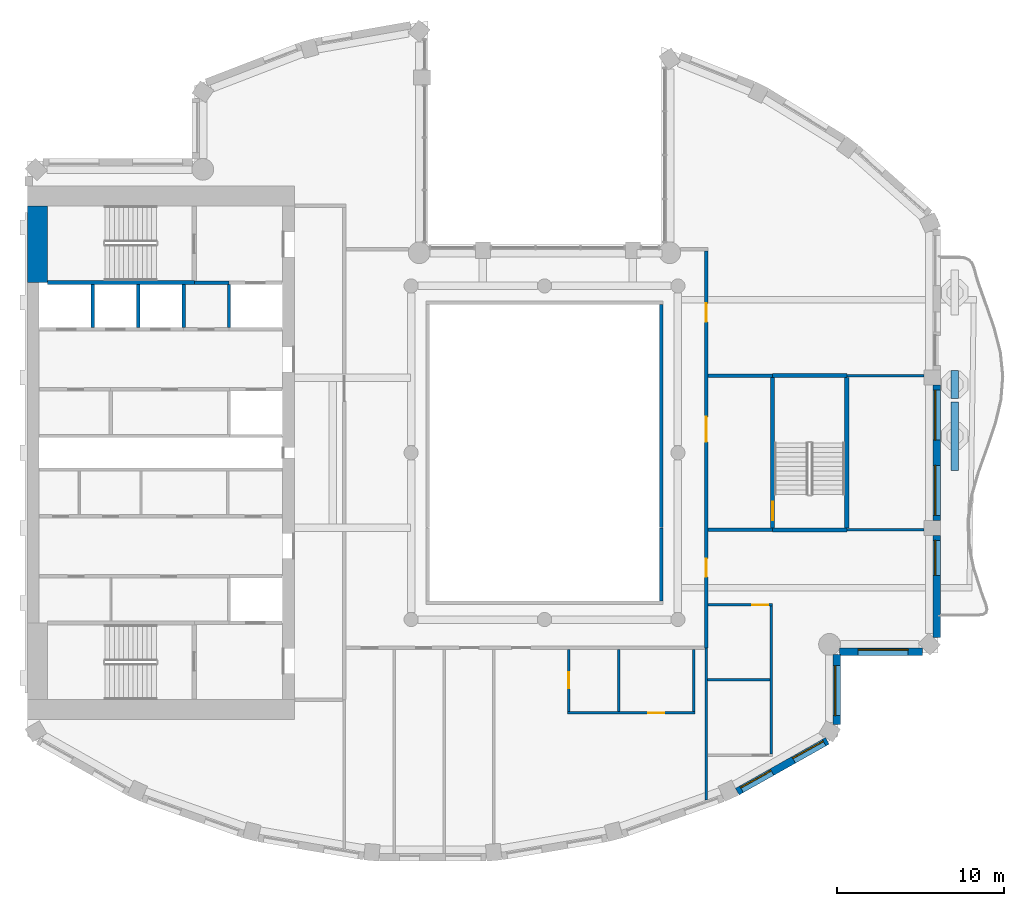
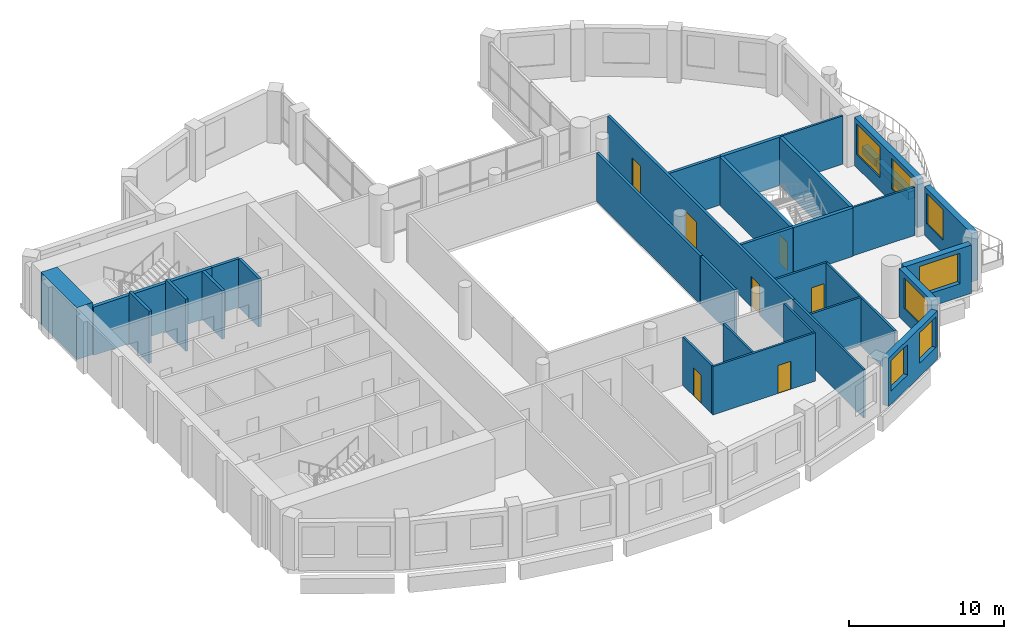
# One storey, part 6 of 14: 33 walls, 7 doors, 7 windows, 14 openings.
"""IFC4 building model written with IfcOpenShell, lengths in metres."""

from ifc_helpers import new_model, si_unit, direction, frame, frame_2d, origin, place, context, subcontext, project, spatial, rectangle, extrude, material, layer, layer_set, type_object, element, fill, save


model = new_model("IFC4")

# Units and contexts
model_context = context("Model", 3, precision=1e-05, world=origin(), true_north=direction((0.0, 1.0)))
body_context = subcontext(model_context, "Body", "Model", "MODEL_VIEW")
ifc_project = project(units=[si_unit("LENGTHUNIT", "METRE"), si_unit("AREAUNIT", "SQUARE_METRE"), si_unit("VOLUMEUNIT", "CUBIC_METRE"), si_unit("PLANEANGLEUNIT", "RADIAN"), si_unit("MASSUNIT", "GRAM", prefix="KILO")], contexts=[model_context])

# Site, building, storey
site_placement = place(None, origin())
site = spatial("IfcSite", under=ifc_project, at=site_placement, CompositionType="ELEMENT")
building_placement = place(site_placement, origin())
building = spatial("IfcBuilding", under=site, at=building_placement, Name="Cypress Arch Tower", CompositionType="ELEMENT")
storey_placement = place(building_placement, frame((0.0, 0.0, 276.199951171875)))
storey = spatial("IfcBuildingStorey", under=building, at=storey_placement, Name="L62", CompositionType="ELEMENT", Elevation=276.199951171875)

# Walls
ifc_material_1 = material(Name="Concrete C40/50, waterproofed", Category="concrete")
ifc_layer_1 = layer(ifc_material_1, 0.449951171875)
ifc_layer_set_1 = layer_set([ifc_layer_1], Name="Balcony planter wall PW450")
wall_type_1 = type_object("IfcWallType", Name="Balcony planter wall PW450", PredefinedType="SOLIDWALL", material=ifc_layer_set_1)
wall_1_placement = place(storey_placement, frame((25.60009765625, -1.050048828125, 0.0), z_axis=(0.0, 0.0, 1.0), x_axis=(0.0, 1.0, 0.0)))
element("IfcWall", 1, at=wall_1_placement, inside=storey, type_object=wall_type_1, Name="Balcony planter wall L62-C17.1", PredefinedType="SOLIDWALL", context=body_context, shape_type="SweptSolid", body=[
    extrude(rectangle(XDim=4.10009765625, YDim=0.449951171875, at=frame_2d((2.050048828125, 0.0))), origin(), (0.0, 0.0, 1.0), 0.60009765625),
])
wall_2_placement = place(storey_placement, frame((25.60009765625, 3.25, 0.0), z_axis=(0.0, 0.0, 1.0), x_axis=(0.0, 1.0, 0.0)))
element("IfcWall", 2, at=wall_2_placement, inside=storey, type_object=wall_type_1, Name="Balcony planter wall L62-C17.2", PredefinedType="SOLIDWALL", context=body_context, shape_type="SweptSolid", body=[
    extrude(rectangle(XDim=1.69140625, YDim=0.449951171875, at=frame_2d((0.845703125, 0.0))), origin(), (0.0, 0.0, 1.0), 0.60009765625),
])

# Wall, openings, windows
ifc_material_2 = material(Name="Brick (red buff blend)", Category="masonry")
ifc_layer_2 = layer(ifc_material_2, 0.449951171875)
ifc_layer_set_2 = layer_set([ifc_layer_2], Name="Brick pier and spandrel wall BW450")
wall_type_2 = type_object("IfcWallType", Name="Brick pier and spandrel wall BW450", PredefinedType="SOLIDWALL", material=ifc_layer_set_2)
wall_3_placement = place(storey_placement, frame((12.55908203125, -20.320068359375, 0.0), z_axis=(0.0, 0.0, 1.0), x_axis=(0.871065783524, 0.491166367714, 0.0)))
wall_3 = element("IfcWall", 3, at=wall_3_placement, inside=storey, type_object=wall_type_2, Name="Brick wall L62 C14.0", PredefinedType="SOLIDWALL", context=body_context, shape_type="SweptSolid", body=[
    extrude(rectangle(XDim=6.1962890625, YDim=0.449951171875, at=frame_2d((3.09814453125, 0.0))), origin(), (0.0, 0.0, 1.0), 3.800048828125),
])
opening_1_placement = place(wall_3_placement, frame((0.29052734375, 0.0, 1.050048828125)))
opening_1 = element("IfcOpeningElement", 4, at=opening_1_placement, cuts=wall_3, Name="Opening W210O", PredefinedType="OPENING", context=body_context, shape_type="SweptSolid", body=[
    extrude(rectangle(XDim=2.10009765625, YDim=2.39990234375, at=frame_2d((1.050048828125, 1.199951171875))), frame((0.0, 0.23486328125, 0.0), z_axis=(0.0, -1.0, 0.0), x_axis=(1.0, 0.0, 0.0)), (0.0, 0.0, 1.0), 0.469970703125),
])
opening_2_placement = place(wall_3_placement, frame((3.875244140625, 0.0, 1.050048828125)))
opening_2 = element("IfcOpeningElement", 5, at=opening_2_placement, cuts=wall_3, Name="Opening W210O", PredefinedType="OPENING", context=body_context, shape_type="SweptSolid", body=[
    extrude(rectangle(XDim=2.10009765625, YDim=2.39990234375, at=frame_2d((1.050048828125, 1.199951171875))), frame((0.0, 0.23486328125, 0.0), z_axis=(0.0, -1.0, 0.0), x_axis=(1.0, 0.0, 0.0)), (0.0, 0.0, 1.0), 0.469970703125),
])
ifc_material_3 = material(Name="Anodised aluminium, bronze finish, clear low-emissivity double glazing", Category="aluminium")
window_type_1 = type_object("IfcWindowType", Name="Window Office 2100x2400", PartitioningType="SINGLE_PANEL", PredefinedType="WINDOW", material=ifc_material_3)
window_1_placement = place(opening_1_placement, origin())
window_1 = element("IfcWindow", 6, at=window_1_placement, inside=storey, type_object=window_type_1, Name="Window L62 C14.0.1", OverallHeight=2.39990234375, OverallWidth=2.10009765625, PartitioningType="SINGLE_PANEL", PredefinedType="WINDOW", context=body_context, shape_type="SweptSolid", body=[
    extrude(rectangle(XDim=2.10009765625, YDim=2.39990234375, at=frame_2d((1.050048828125, 1.199951171875))), frame((0.0, 0.135009765625, 0.0), z_axis=(0.0, -1.0, 0.0), x_axis=(1.0, 0.0, 0.0)), (0.0, 0.0, 1.0), 0.06005859375),
])
fill(opening_1, window_1)
window_2_placement = place(opening_2_placement, origin())
window_2 = element("IfcWindow", 7, at=window_2_placement, inside=storey, type_object=window_type_1, Name="Window L62 C14.0.2", OverallHeight=2.39990234375, OverallWidth=2.10009765625, PartitioningType="SINGLE_PANEL", PredefinedType="WINDOW", context=body_context, shape_type="SweptSolid", body=[
    extrude(rectangle(XDim=2.10009765625, YDim=2.39990234375, at=frame_2d((1.050048828125, 1.199951171875))), frame((0.0, 0.135009765625, 0.0), z_axis=(0.0, -1.0, 0.0), x_axis=(1.0, 0.0, 0.0)), (0.0, 0.0, 1.0), 0.06005859375),
])
fill(opening_2, window_2)

# Wall, opening, window
wall_4_placement = place(storey_placement, frame((18.52490234375, -16.3037109375, 0.0), z_axis=(0.0, 0.0, 1.0), x_axis=(0.0, 1.0, 0.0)))
wall_4 = element("IfcWall", 8, at=wall_4_placement, inside=storey, type_object=wall_type_2, Name="Brick wall L62 C15.0", PredefinedType="SOLIDWALL", context=body_context, shape_type="SweptSolid", body=[
    extrude(rectangle(XDim=4.2021484375, YDim=0.449951171875, at=frame_2d((2.10107421875, 0.0))), origin(), (0.0, 0.0, 1.0), 3.800048828125),
])
opening_3_placement = place(wall_4_placement, frame((0.541259765625, 0.0, 1.050048828125)))
opening_3 = element("IfcOpeningElement", 9, at=opening_3_placement, cuts=wall_4, Name="Opening W300O", PredefinedType="OPENING", context=body_context, shape_type="SweptSolid", body=[
    extrude(rectangle(XDim=3.0, YDim=2.39990234375, at=frame_2d((1.5, 1.199951171875))), frame((0.0, 0.23486328125, 0.0), z_axis=(0.0, -1.0, 0.0), x_axis=(1.0, 0.0, 0.0)), (0.0, 0.0, 1.0), 0.469970703125),
])
ifc_material_4 = material(Name="Anodised aluminium, bronze finish, clear low-emissivity double glazing", Category="aluminium")
window_type_2 = type_object("IfcWindowType", Name="Window Office 3000x2400", PartitioningType="SINGLE_PANEL", PredefinedType="WINDOW", material=ifc_material_4)
window_3_placement = place(opening_3_placement, origin())
window_3 = element("IfcWindow", 10, at=window_3_placement, inside=storey, type_object=window_type_2, Name="Window L62 C15.0.1", OverallHeight=2.39990234375, OverallWidth=3.0, PartitioningType="SINGLE_PANEL", PredefinedType="WINDOW", context=body_context, shape_type="SweptSolid", body=[
    extrude(rectangle(XDim=3.0, YDim=2.39990234375, at=frame_2d((1.5, 1.199951171875))), frame((0.0, 0.135009765625, 0.0), z_axis=(0.0, -1.0, 0.0), x_axis=(1.0, 0.0, 0.0)), (0.0, 0.0, 1.0), 0.06005859375),
])
fill(opening_3, window_3)

wall_5_placement = place(storey_placement, frame((18.701416015625, -11.925048828125, 0.0), z_axis=(0.0, 0.0, 1.0), x_axis=(1.0, 0.0, 0.0)))
wall_5 = element("IfcWall", 11, at=wall_5_placement, inside=storey, type_object=wall_type_2, Name="Brick wall L62 C16.0", PredefinedType="SOLIDWALL", context=body_context, shape_type="SweptSolid", body=[
    extrude(rectangle(XDim=4.962158203125, YDim=0.449951171875, at=frame_2d((2.48095703125, 0.0))), origin(), (0.0, 0.0, 1.0), 3.800048828125),
])
opening_4_placement = place(wall_5_placement, frame((1.098388671875, 0.0, 1.050048828125)))
opening_4 = element("IfcOpeningElement", 12, at=opening_4_placement, cuts=wall_5, Name="Opening W300O", PredefinedType="OPENING", context=body_context, shape_type="SweptSolid", body=[
    extrude(rectangle(XDim=3.0, YDim=2.39990234375, at=frame_2d((1.5, 1.199951171875))), frame((0.0, 0.23486328125, 0.0), z_axis=(0.0, -1.0, 0.0), x_axis=(1.0, 0.0, 0.0)), (0.0, 0.0, 1.0), 0.469970703125),
])
window_4_placement = place(opening_4_placement, origin())
window_4 = element("IfcWindow", 13, at=window_4_placement, inside=storey, type_object=window_type_2, Name="Window L62 C16.0.1", OverallHeight=2.39990234375, OverallWidth=3.0, PartitioningType="SINGLE_PANEL", PredefinedType="WINDOW", context=body_context, shape_type="SweptSolid", body=[
    extrude(rectangle(XDim=3.0, YDim=2.39990234375, at=frame_2d((1.5, 1.199951171875))), frame((0.0, 0.135009765625, 0.0), z_axis=(0.0, -1.0, 0.0), x_axis=(1.0, 0.0, 0.0)), (0.0, 0.0, 1.0), 0.06005859375),
])
fill(opening_4, window_4)

wall_6_placement = place(storey_placement, frame((24.52490234375, -11.063720703125, 0.0), z_axis=(0.0, 0.0, 1.0), x_axis=(0.0, 1.0, 0.0)))
wall_6 = element("IfcWall", 14, at=wall_6_placement, inside=storey, type_object=wall_type_2, Name="Brick wall L62 C17.0", PredefinedType="SOLIDWALL", context=body_context, shape_type="SweptSolid", body=[
    extrude(rectangle(XDim=6.11376953125, YDim=0.449951171875, at=frame_2d((3.056884765625, 0.0))), origin(), (0.0, 0.0, 1.0), 3.800048828125),
])
opening_5_placement = place(wall_6_placement, frame((3.713623046875, 0.0, 1.050048828125)))
opening_5 = element("IfcOpeningElement", 15, at=opening_5_placement, cuts=wall_6, Name="Opening W210OD", PredefinedType="OPENING", context=body_context, shape_type="SweptSolid", body=[
    extrude(rectangle(XDim=2.10009765625, YDim=2.39990234375, at=frame_2d((1.050048828125, 1.199951171875))), frame((0.0, 0.23486328125, 0.0), z_axis=(0.0, -1.0, 0.0), x_axis=(1.0, 0.0, 0.0)), (0.0, 0.0, 1.0), 0.469970703125),
])
ifc_material_5 = material(Name="Anodised aluminium, bronze finish, laminated low-emissivity double glazing, large-missile impact rated", Category="aluminium")
window_type_3 = type_object("IfcWindowType", Name="Window Office 2100x2400 debris-rated", PartitioningType="SINGLE_PANEL", PredefinedType="WINDOW", material=ifc_material_5)
window_5_placement = place(opening_5_placement, origin())
window_5 = element("IfcWindow", 16, at=window_5_placement, inside=storey, type_object=window_type_3, Name="Window L62 C17.0.2", OverallHeight=2.39990234375, OverallWidth=2.10009765625, PartitioningType="SINGLE_PANEL", PredefinedType="WINDOW", context=body_context, shape_type="SweptSolid", body=[
    extrude(rectangle(XDim=2.10009765625, YDim=2.39990234375, at=frame_2d((1.050048828125, 1.199951171875))), frame((0.0, 0.135009765625, 0.0), z_axis=(0.0, -1.0, 0.0), x_axis=(1.0, 0.0, 0.0)), (0.0, 0.0, 1.0), 0.06005859375),
])
fill(opening_5, window_5)

# Wall, openings, windows
wall_7_placement = place(storey_placement, frame((24.52490234375, -4.050048828125, 0.0), z_axis=(0.0, 0.0, 1.0), x_axis=(0.0, 1.0, 0.0)))
wall_7 = element("IfcWall", 17, at=wall_7_placement, inside=storey, type_object=wall_type_2, Name="Brick wall L62 C17.1", PredefinedType="SOLIDWALL", context=body_context, shape_type="SweptSolid", body=[
    extrude(rectangle(XDim=8.10009765625, YDim=0.449951171875, at=frame_2d((4.050048828125, 0.0))), origin(), (0.0, 0.0, 1.0), 3.800048828125),
])
opening_6_placement = place(wall_7_placement, frame((0.300048828125, 0.0, 1.050048828125)))
opening_6 = element("IfcOpeningElement", 18, at=opening_6_placement, cuts=wall_7, Name="Opening W300OD", PredefinedType="OPENING", context=body_context, shape_type="SweptSolid", body=[
    extrude(rectangle(XDim=3.0, YDim=2.39990234375, at=frame_2d((1.5, 1.199951171875))), frame((0.0, 0.23486328125, 0.0), z_axis=(0.0, -1.0, 0.0), x_axis=(1.0, 0.0, 0.0)), (0.0, 0.0, 1.0), 0.469970703125),
])
opening_7_placement = place(wall_7_placement, frame((4.800048828125, 0.0, 1.050048828125)))
opening_7 = element("IfcOpeningElement", 19, at=opening_7_placement, cuts=wall_7, Name="Opening W300OD", PredefinedType="OPENING", context=body_context, shape_type="SweptSolid", body=[
    extrude(rectangle(XDim=3.0, YDim=2.39990234375, at=frame_2d((1.5, 1.199951171875))), frame((0.0, 0.23486328125, 0.0), z_axis=(0.0, -1.0, 0.0), x_axis=(1.0, 0.0, 0.0)), (0.0, 0.0, 1.0), 0.469970703125),
])
ifc_material_6 = material(Name="Anodised aluminium, bronze finish, laminated low-emissivity double glazing, large-missile impact rated", Category="aluminium")
window_type_4 = type_object("IfcWindowType", Name="Window Office 3000x2400 debris-rated", PartitioningType="SINGLE_PANEL", PredefinedType="WINDOW", material=ifc_material_6)
window_6_placement = place(opening_6_placement, origin())
window_6 = element("IfcWindow", 20, at=window_6_placement, inside=storey, type_object=window_type_4, Name="Window L62 C17.1.1", OverallHeight=2.39990234375, OverallWidth=3.0, PartitioningType="SINGLE_PANEL", PredefinedType="WINDOW", context=body_context, shape_type="SweptSolid", body=[
    extrude(rectangle(XDim=3.0, YDim=2.39990234375, at=frame_2d((1.5, 1.199951171875))), frame((0.0, 0.135009765625, 0.0), z_axis=(0.0, -1.0, 0.0), x_axis=(1.0, 0.0, 0.0)), (0.0, 0.0, 1.0), 0.06005859375),
])
fill(opening_6, window_6)
window_7_placement = place(opening_7_placement, origin())
window_7 = element("IfcWindow", 21, at=window_7_placement, inside=storey, type_object=window_type_4, Name="Window L62 C17.1.2", OverallHeight=2.39990234375, OverallWidth=3.0, PartitioningType="SINGLE_PANEL", PredefinedType="WINDOW", context=body_context, shape_type="SweptSolid", body=[
    extrude(rectangle(XDim=3.0, YDim=2.39990234375, at=frame_2d((1.5, 1.199951171875))), frame((0.0, 0.135009765625, 0.0), z_axis=(0.0, -1.0, 0.0), x_axis=(1.0, 0.0, 0.0)), (0.0, 0.0, 1.0), 0.06005859375),
])
fill(opening_7, window_7)

# Walls
ifc_material_7 = material(Name="Concrete C60/75", Category="concrete")
ifc_layer_3 = layer(ifc_material_7, 1.199951171875)
ifc_layer_set_3 = layer_set([ifc_layer_3], Name="Core wall CW1200 C60/75")
wall_type_3 = type_object("IfcWallType", Name="Core wall CW1200 C60/75", PredefinedType="SHEAR", material=ifc_layer_set_3)
wall_8_placement = place(storey_placement, frame((-29.39990234375, 10.199951171875, 0.0), z_axis=(0.0, 0.0, 1.0), x_axis=(0.0, 1.0, 0.0)))
element("IfcWall", 22, at=wall_8_placement, inside=storey, type_object=wall_type_3, Name="Core wall", PredefinedType="SHEAR", context=body_context, shape_type="SweptSolid", body=[
    extrude(rectangle(XDim=4.60009765625, YDim=1.199951171875, at=frame_2d((2.300048828125, 0.0))), origin(), (0.0, 0.0, 1.0), 4.10009765625),
])
ifc_material_8 = material(Name="Concrete blockwork, plastered, rated", Category="masonry")
ifc_layer_4 = layer(ifc_material_8, 0.199951171875)
ifc_layer_set_4 = layer_set([ifc_layer_4], Name="Corridor wall FW200")
wall_type_4 = type_object("IfcWallType", Name="Corridor wall FW200", PredefinedType="PARTITIONING", material=ifc_layer_set_4)
wall_9_placement = place(storey_placement, frame((-20.0, 10.199951171875, 0.0), z_axis=(0.0, 0.0, 1.0), x_axis=(1.0, 0.0, 0.0)))
element("IfcWall", 23, at=wall_9_placement, inside=storey, type_object=wall_type_4, Name="Corridor wall", PredefinedType="PARTITIONING", context=body_context, shape_type="SweptSolid", body=[
    extrude(rectangle(XDim=2.080078125, YDim=0.199951171875, at=frame_2d((1.0400390625, 0.0))), origin(), (0.0, 0.0, 1.0), 3.800048828125),
])
wall_10_placement = place(storey_placement, frame((8.0, -8.89990234375, 0.0), z_axis=(0.0, 0.0, 1.0), x_axis=(0.0, 1.0, 0.0)))
element("IfcWall", 24, at=wall_10_placement, inside=storey, type_object=wall_type_4, Name="Corridor wall", PredefinedType="PARTITIONING", context=body_context, shape_type="SweptSolid", body=[
    extrude(rectangle(XDim=4.3798828125, YDim=0.199951171875, at=frame_2d((2.18994140625, 0.0))), origin(), (0.0, 0.0, 1.0), 3.800048828125),
])
wall_11_placement = place(storey_placement, frame((8.0, -4.47998046875, 0.0), z_axis=(0.0, 0.0, 1.0), x_axis=(0.0, 1.0, 0.0)))
element("IfcWall", 25, at=wall_11_placement, inside=storey, type_object=wall_type_4, Name="Corridor wall", PredefinedType="PARTITIONING", context=body_context, shape_type="SweptSolid", body=[
    extrude(rectangle(XDim=13.3798828125, YDim=0.199951171875, at=frame_2d((6.68994140625, 0.0))), origin(), (0.0, 0.0, 1.0), 3.800048828125),
])

# Wall, openings, doors
wall_12_placement = place(storey_placement, frame((10.699951171875, -11.699951171875, 0.0), z_axis=(0.0, 0.0, 1.0), x_axis=(0.0, 1.0, 0.0)))
wall_12 = element("IfcWall", 26, at=wall_12_placement, inside=storey, type_object=wall_type_4, Name="Corridor wall", PredefinedType="PARTITIONING", context=body_context, shape_type="SweptSolid", body=[
    extrude(rectangle(XDim=23.800048828125, YDim=0.199951171875, at=frame_2d((11.89990234375, 0.0))), origin(), (0.0, 0.0, 1.0), 3.800048828125),
])
opening_8_placement = place(wall_12_placement, frame((12.35009765625, 0.0, 0.0)))
opening_8 = element("IfcOpeningElement", 27, at=opening_8_placement, cuts=wall_12, Name="Opening D07", PredefinedType="OPENING", context=body_context, shape_type="SweptSolid", body=[
    extrude(rectangle(XDim=1.5, YDim=2.39990234375, at=frame_2d((0.75, 1.199951171875))), frame((0.0, 0.10986328125, 0.0), z_axis=(0.0, -1.0, 0.0), x_axis=(1.0, 0.0, 0.0)), (0.0, 0.0, 1.0), 0.219970703125),
])
opening_9_placement = place(wall_12_placement, frame((19.550048828125, 0.0, 0.0)))
opening_9 = element("IfcOpeningElement", 28, at=opening_9_placement, cuts=wall_12, Name="Opening D01", PredefinedType="OPENING", context=body_context, shape_type="SweptSolid", body=[
    extrude(rectangle(XDim=1.10009765625, YDim=2.39990234375, at=frame_2d((0.550048828125, 1.199951171875))), frame((0.0, 0.10986328125, 0.0), z_axis=(0.0, -1.0, 0.0), x_axis=(1.0, 0.0, 0.0)), (0.0, 0.0, 1.0), 0.219970703125),
])
opening_10_placement = place(wall_12_placement, frame((4.25, 0.0, 0.0)))
opening_10 = element("IfcOpeningElement", 29, at=opening_10_placement, cuts=wall_12, Name="Opening D01", PredefinedType="OPENING", context=body_context, shape_type="SweptSolid", body=[
    extrude(rectangle(XDim=1.10009765625, YDim=2.39990234375, at=frame_2d((0.550048828125, 1.199951171875))), frame((0.0, 0.10986328125, 0.0), z_axis=(0.0, -1.0, 0.0), x_axis=(1.0, 0.0, 0.0)), (0.0, 0.0, 1.0), 0.219970703125),
])
ifc_material_9 = material(Name="Steel framed glazed door, fire resisting", Category="steel")
door_type_1 = type_object("IfcDoorType", Name="Lobby door D07 1500x2400", OperationType="DOUBLE_DOOR_SINGLE_SWING", PredefinedType="DOOR", material=ifc_material_9)
door_1_placement = place(opening_8_placement, origin())
door_1 = element("IfcDoor", 30, at=door_1_placement, inside=storey, type_object=door_type_1, Name="Lobby door", OperationType="DOUBLE_DOOR_SINGLE_SWING", OverallHeight=2.39990234375, OverallWidth=1.5, PredefinedType="DOOR", context=body_context, shape_type="SweptSolid", body=[
    extrude(rectangle(XDim=1.5, YDim=2.39990234375, at=frame_2d((0.75, 1.199951171875))), frame((0.0, 0.02490234375, 0.0), z_axis=(0.0, -1.0, 0.0), x_axis=(1.0, 0.0, 0.0)), (0.0, 0.0, 1.0), 0.050048828125),
])
fill(opening_8, door_1)
ifc_material_10 = material(Name="Timber flush door, fire resisting, self-closing", Category="wood")
door_type_2 = type_object("IfcDoorType", Name="Unit entrance door D01 1100x2400", OperationType="SINGLE_SWING_LEFT", PredefinedType="DOOR", material=ifc_material_10)
door_2_placement = place(opening_9_placement, origin())
door_2 = element("IfcDoor", 31, at=door_2_placement, inside=storey, type_object=door_type_2, Name="Unit entrance door", OperationType="SINGLE_SWING_LEFT", OverallHeight=2.39990234375, OverallWidth=1.10009765625, PredefinedType="DOOR", context=body_context, shape_type="SweptSolid", body=[
    extrude(rectangle(XDim=1.10009765625, YDim=2.39990234375, at=frame_2d((0.550048828125, 1.199951171875))), frame((0.0, 0.02490234375, 0.0), z_axis=(0.0, -1.0, 0.0), x_axis=(1.0, 0.0, 0.0)), (0.0, 0.0, 1.0), 0.050048828125),
])
fill(opening_9, door_2)
door_3_placement = place(opening_10_placement, origin())
door_3 = element("IfcDoor", 32, at=door_3_placement, inside=storey, type_object=door_type_2, Name="Unit entrance door", OperationType="SINGLE_SWING_RIGHT", OverallHeight=2.39990234375, OverallWidth=1.10009765625, PredefinedType="DOOR", context=body_context, shape_type="SweptSolid", body=[
    extrude(rectangle(XDim=1.10009765625, YDim=2.39990234375, at=frame_2d((0.550048828125, 1.199951171875))), frame((0.0, 0.02490234375, 0.0), z_axis=(0.0, -1.0, 0.0), x_axis=(1.0, 0.0, 0.0)), (0.0, 0.0, 1.0), 0.050048828125),
])
fill(opening_10, door_3)

# Walls
for number, where, z_axis, x_axis, name in (
    (33, (10.800048828125, -4.625, 0.0), (0.0, 0.0, 1.0), (1.0, 0.0, 0.0), "Corridor wall"),
    (34, (10.800048828125, 4.625, 0.0), (0.0, 0.0, 1.0), (1.0, 0.0, 0.0), "Corridor wall"),
):
    element("IfcWall", number, at=place(storey_placement, frame(where, z_axis=z_axis, x_axis=x_axis)), inside=storey, type_object=wall_type_4, Name=name, PredefinedType="PARTITIONING", context=body_context, shape_type="SweptSolid", body=[
        extrude(rectangle(XDim=3.875, YDim=0.199951171875, at=frame_2d((1.9375, 0.0))), origin(), (0.0, 0.0, 1.0), 3.800048828125),
    ])

# Wall, opening, door
ifc_material_11 = material(Name="Blockwork, plastered both sides", Category="masonry")
ifc_layer_5 = layer(ifc_material_11, 0.14990234375)
ifc_layer_set_5 = layer_set([ifc_layer_5], Name="Partition PW150")
wall_type_5 = type_object("IfcWallType", Name="Partition PW150", PredefinedType="PARTITIONING", material=ifc_layer_set_5)
wall_13_placement = place(storey_placement, frame((2.4541015625, -15.52490234375, 0.0), z_axis=(0.0, 0.0, 1.0), x_axis=(0.0, 1.0, 0.0)))
wall_13 = element("IfcWall", 35, at=wall_13_placement, inside=storey, type_object=wall_type_5, Name="Partition", PredefinedType="PARTITIONING", context=body_context, shape_type="SweptSolid", body=[
    extrude(rectangle(XDim=3.724853515625, YDim=0.14990234375, at=frame_2d((1.8623046875, 0.0))), origin(), (0.0, 0.0, 1.0), 3.800048828125),
])
opening_11_placement = place(wall_13_placement, frame((1.39990234375, 0.0, 0.0)))
opening_11 = element("IfcOpeningElement", 36, at=opening_11_placement, cuts=wall_13, Name="Opening D12", PredefinedType="OPENING", context=body_context, shape_type="SweptSolid", body=[
    extrude(rectangle(XDim=0.949951171875, YDim=2.199951171875, at=frame_2d((0.47509765625, 1.10009765625))), frame((0.0, 0.0849609375, 0.0), z_axis=(0.0, -1.0, 0.0), x_axis=(1.0, 0.0, 0.0)), (0.0, 0.0, 1.0), 0.169921875),
])
ifc_material_12 = material(Name="Timber flush door", Category="wood")
door_type_3 = type_object("IfcDoorType", Name="Room door D12 950x2200", OperationType="SINGLE_SWING_LEFT", PredefinedType="DOOR", material=ifc_material_12)
door_4_placement = place(opening_11_placement, origin())
door_4 = element("IfcDoor", 37, at=door_4_placement, inside=storey, type_object=door_type_3, Name="Room door", OperationType="SINGLE_SWING_RIGHT", OverallHeight=2.199951171875, OverallWidth=0.949951171875, PredefinedType="DOOR", context=body_context, shape_type="SweptSolid", body=[
    extrude(rectangle(XDim=0.949951171875, YDim=2.199951171875, at=frame_2d((0.47509765625, 1.10009765625))), frame((0.0, 0.02490234375, 0.0), z_axis=(0.0, -1.0, 0.0), x_axis=(1.0, 0.0, 0.0)), (0.0, 0.0, 1.0), 0.050048828125),
])
fill(opening_11, door_4)

wall_14_placement = place(storey_placement, frame((2.37890625, -15.60009765625, 0.0), z_axis=(0.0, 0.0, 1.0), x_axis=(1.0, 0.0, 0.0)))
wall_14 = element("IfcWall", 38, at=wall_14_placement, inside=storey, type_object=wall_type_5, Name="Partition", PredefinedType="PARTITIONING", context=body_context, shape_type="SweptSolid", body=[
    extrude(rectangle(XDim=7.650146484375, YDim=0.14990234375, at=frame_2d((3.8251953125, 0.0))), origin(), (0.0, 0.0, 1.0), 3.800048828125),
])
opening_12_placement = place(wall_14_placement, frame((4.85009765625, 0.0, 0.0)))
opening_12 = element("IfcOpeningElement", 39, at=opening_12_placement, cuts=wall_14, Name="Opening D12", PredefinedType="OPENING", context=body_context, shape_type="SweptSolid", body=[
    extrude(rectangle(XDim=0.949951171875, YDim=2.199951171875, at=frame_2d((0.47509765625, 1.10009765625))), frame((0.0, 0.0849609375, 0.0), z_axis=(0.0, -1.0, 0.0), x_axis=(1.0, 0.0, 0.0)), (0.0, 0.0, 1.0), 0.169921875),
])
door_5_placement = place(opening_12_placement, origin())
door_5 = element("IfcDoor", 40, at=door_5_placement, inside=storey, type_object=door_type_3, Name="Room door", OperationType="SINGLE_SWING_LEFT", OverallHeight=2.199951171875, OverallWidth=0.949951171875, PredefinedType="DOOR", context=body_context, shape_type="SweptSolid", body=[
    extrude(rectangle(XDim=0.949951171875, YDim=2.199951171875, at=frame_2d((0.47509765625, 1.10009765625))), frame((0.0, 0.02490234375, 0.0), z_axis=(0.0, -1.0, 0.0), x_axis=(1.0, 0.0, 0.0)), (0.0, 0.0, 1.0), 0.050048828125),
])
fill(opening_12, door_5)

# Walls
for number, where, z_axis, x_axis, name in (
    (41, (5.4541015625, -15.52490234375, 0.0), (0.0, 0.0, 1.0), (0.0, 1.0, 0.0), "Partition"),
    (42, (9.9541015625, -15.52490234375, 0.0), (0.0, 0.0, 1.0), (0.0, 1.0, 0.0), "Partition"),
):
    element("IfcWall", number, at=place(storey_placement, frame(where, z_axis=z_axis, x_axis=x_axis)), inside=storey, type_object=wall_type_5, Name=name, PredefinedType="PARTITIONING", context=body_context, shape_type="SweptSolid", body=[
        extrude(rectangle(XDim=3.724853515625, YDim=0.14990234375, at=frame_2d((1.8623046875, 0.0))), origin(), (0.0, 0.0, 1.0), 3.800048828125),
    ])
wall_15_placement = place(storey_placement, frame((10.699951171875, -20.828369140625, 0.0), z_axis=(0.0, 0.0, 1.0), x_axis=(0.0, 1.0, 0.0)))
element("IfcWall", 43, at=wall_15_placement, inside=storey, type_object=wall_type_5, Name="Partition", PredefinedType="PARTITIONING", context=body_context, shape_type="SweptSolid", body=[
    extrude(rectangle(XDim=9.12841796875, YDim=0.14990234375, at=frame_2d((4.564208984375, 0.0))), origin(), (0.0, 0.0, 1.0), 3.800048828125),
])
wall_16_placement = place(storey_placement, frame((10.77490234375, -13.625, 0.0), z_axis=(0.0, 0.0, 1.0), x_axis=(1.0, 0.0, 0.0)))
element("IfcWall", 44, at=wall_16_placement, inside=storey, type_object=wall_type_5, Name="Partition", PredefinedType="PARTITIONING", context=body_context, shape_type="SweptSolid", body=[
    extrude(rectangle(XDim=3.75, YDim=0.14990234375, at=frame_2d((1.875, 0.0))), origin(), (0.0, 0.0, 1.0), 3.800048828125),
])

# Wall, opening, door
wall_17_placement = place(storey_placement, frame((10.800048828125, -9.125, 0.0), z_axis=(0.0, 0.0, 1.0), x_axis=(1.0, 0.0, 0.0)))
wall_17 = element("IfcWall", 45, at=wall_17_placement, inside=storey, type_object=wall_type_5, Name="Partition", PredefinedType="PARTITIONING", context=body_context, shape_type="SweptSolid", body=[
    extrude(rectangle(XDim=3.875, YDim=0.14990234375, at=frame_2d((1.9375, 0.0))), origin(), (0.0, 0.0, 1.0), 3.800048828125),
])
opening_13_placement = place(wall_17_placement, frame((2.64990234375, 0.0, 0.0)))
opening_13 = element("IfcOpeningElement", 46, at=opening_13_placement, cuts=wall_17, Name="Opening D12", PredefinedType="OPENING", context=body_context, shape_type="SweptSolid", body=[
    extrude(rectangle(XDim=0.949951171875, YDim=2.199951171875, at=frame_2d((0.47509765625, 1.10009765625))), frame((0.0, 0.0849609375, 0.0), z_axis=(0.0, -1.0, 0.0), x_axis=(1.0, 0.0, 0.0)), (0.0, 0.0, 1.0), 0.169921875),
])
door_6_placement = place(opening_13_placement, origin())
door_6 = element("IfcDoor", 47, at=door_6_placement, inside=storey, type_object=door_type_3, Name="Room door", OperationType="SINGLE_SWING_LEFT", OverallHeight=2.199951171875, OverallWidth=0.949951171875, PredefinedType="DOOR", context=body_context, shape_type="SweptSolid", body=[
    extrude(rectangle(XDim=0.949951171875, YDim=2.199951171875, at=frame_2d((0.47509765625, 1.10009765625))), frame((0.0, 0.02490234375, 0.0), z_axis=(0.0, -1.0, 0.0), x_axis=(1.0, 0.0, 0.0)), (0.0, 0.0, 1.0), 0.050048828125),
])
fill(opening_13, door_6)

# Walls
wall_18_placement = place(storey_placement, frame((14.60009765625, -18.050048828125, 0.0), z_axis=(0.0, 0.0, 1.0), x_axis=(0.0, 1.0, 0.0)))
element("IfcWall", 48, at=wall_18_placement, inside=storey, type_object=wall_type_5, Name="Partition", PredefinedType="PARTITIONING", context=body_context, shape_type="SweptSolid", body=[
    extrude(rectangle(XDim=8.85009765625, YDim=0.14990234375, at=frame_2d((4.425048828125, 0.0))), origin(), (0.0, 0.0, 1.0), 3.800048828125),
])
for number, where, z_axis, x_axis, name in (
    (49, (19.14501953125, -4.625, 0.0), (0.0, 0.0, 1.0), (1.0, 0.0, 0.0), "Partition"),
    (50, (19.14501953125, 4.625, 0.0), (0.0, 0.0, 1.0), (1.0, 0.0, 0.0), "Partition"),
):
    element("IfcWall", number, at=place(storey_placement, frame(where, z_axis=z_axis, x_axis=x_axis)), inside=storey, type_object=wall_type_5, Name=name, PredefinedType="PARTITIONING", context=body_context, shape_type="SweptSolid", body=[
        extrude(rectangle(XDim=4.60498046875, YDim=0.14990234375, at=frame_2d((2.302490234375, 0.0))), origin(), (0.0, 0.0, 1.0), 3.800048828125),
    ])
ifc_material_13 = material(Name="Concrete C50/60", Category="concrete")
ifc_layer_6 = layer(ifc_material_13, 0.199951171875)
ifc_layer_set_6 = layer_set([ifc_layer_6], Name="Shaft wall SH200")
wall_type_6 = type_object("IfcWallType", Name="Shaft wall SH200", PredefinedType="SHEAR", material=ifc_layer_set_6)
for number, where, z_axis, x_axis, name in (
    (51, (-26.080078125, 7.5, 0.0), (0.0, 0.0, 1.0), (0.0, 1.0, 0.0), "Shaft wall"),
    (52, (-23.360107421875, 7.5, 0.0), (0.0, 0.0, 1.0), (0.0, 1.0, 0.0), "Shaft wall"),
):
    element("IfcWall", number, at=place(storey_placement, frame(where, z_axis=z_axis, x_axis=x_axis)), inside=storey, type_object=wall_type_6, Name=name, PredefinedType="SHEAR", context=body_context, shape_type="SweptSolid", body=[
        extrude(rectangle(XDim=2.574951171875, YDim=0.199951171875, at=frame_2d((1.28759765625, 0.0))), origin(), (0.0, 0.0, 1.0), 4.10009765625),
    ])
wall_19_placement = place(storey_placement, frame((-20.639892578125, 7.5, 0.0), z_axis=(0.0, 0.0, 1.0), x_axis=(0.0, 1.0, 0.0)))
element("IfcWall", 53, at=wall_19_placement, inside=storey, type_object=wall_type_6, Name="Shaft wall", PredefinedType="SHEAR", context=body_context, shape_type="SweptSolid", body=[
    extrude(rectangle(XDim=2.574951171875, YDim=0.199951171875, at=frame_2d((1.28759765625, 0.0))), origin(), (0.0, 0.0, 1.0), 3.800048828125),
])
wall_20_placement = place(storey_placement, frame((-17.919921875, 7.5, 0.0), z_axis=(0.0, 0.0, 1.0), x_axis=(0.0, 1.0, 0.0)))
element("IfcWall", 54, at=wall_20_placement, inside=storey, type_object=wall_type_6, Name="Shaft wall", PredefinedType="SHEAR", context=body_context, shape_type="SweptSolid", body=[
    extrude(rectangle(XDim=2.60009765625, YDim=0.199951171875, at=frame_2d((1.300048828125, 0.0))), origin(), (0.0, 0.0, 1.0), 3.800048828125),
])
ifc_material_14 = material(Name="Concrete C50/60", Category="concrete")
ifc_layer_7 = layer(ifc_material_14, 0.25)
ifc_layer_set_7 = layer_set([ifc_layer_7], Name="Stair enclosure wall SW250")
wall_type_7 = type_object("IfcWallType", Name="Stair enclosure wall SW250", PredefinedType="SHEAR", material=ifc_layer_set_7)
wall_21_placement = place(storey_placement, frame((-28.81005859375, 10.199951171875, 0.0), z_axis=(0.0, 0.0, 1.0), x_axis=(1.0, 0.0, 0.0)))
element("IfcWall", 55, at=wall_21_placement, inside=storey, type_object=wall_type_7, Name="Stair enclosure wall", PredefinedType="SHEAR", context=body_context, shape_type="SweptSolid", body=[
    extrude(rectangle(XDim=8.81005859375, YDim=0.25, at=frame_2d((4.405029296875, 0.0))), origin(), (0.0, 0.0, 1.0), 3.800048828125),
])

# Wall, opening, door
wall_22_placement = place(storey_placement, frame((14.675048828125, -4.5, 0.0), z_axis=(0.0, 0.0, 1.0), x_axis=(0.0, 1.0, 0.0)))
wall_22 = element("IfcWall", 56, at=wall_22_placement, inside=storey, type_object=wall_type_7, Name="Stair enclosure wall", PredefinedType="SHEAR", context=body_context, shape_type="SweptSolid", body=[
    extrude(rectangle(XDim=9.0, YDim=0.25, at=frame_2d((4.5, 0.0))), origin(), (0.0, 0.0, 1.0), 3.800048828125),
])
opening_14_placement = place(wall_22_placement, frame((0.449951171875, 0.0, 0.0)))
opening_14 = element("IfcOpeningElement", 57, at=opening_14_placement, cuts=wall_22, Name="Opening D06", PredefinedType="OPENING", context=body_context, shape_type="SweptSolid", body=[
    extrude(rectangle(XDim=1.10009765625, YDim=2.199951171875, at=frame_2d((0.550048828125, 1.10009765625))), frame((0.0, 0.135009765625, 0.0), z_axis=(0.0, -1.0, 0.0), x_axis=(1.0, 0.0, 0.0)), (0.0, 0.0, 1.0), 0.27001953125),
])
ifc_material_15 = material(Name="Steel door, fire resisting, panic bar", Category="steel")
door_type_4 = type_object("IfcDoorType", Name="Stair door D06 1100x2200", OperationType="SINGLE_SWING_LEFT", PredefinedType="DOOR", material=ifc_material_15)
door_7_placement = place(opening_14_placement, origin())
door_7 = element("IfcDoor", 58, at=door_7_placement, inside=storey, type_object=door_type_4, Name="Stair door", OperationType="SINGLE_SWING_RIGHT", OverallHeight=2.199951171875, OverallWidth=1.10009765625, PredefinedType="DOOR", context=body_context, shape_type="SweptSolid", body=[
    extrude(rectangle(XDim=1.10009765625, YDim=2.199951171875, at=frame_2d((0.550048828125, 1.10009765625))), frame((0.0, 0.02490234375, 0.0), z_axis=(0.0, -1.0, 0.0), x_axis=(1.0, 0.0, 0.0)), (0.0, 0.0, 1.0), 0.050048828125),
])
fill(opening_14, door_7)

# Walls
for number, where, z_axis, x_axis, name in (
    (59, (14.675048828125, -4.625, 0.0), (0.0, 0.0, 1.0), (1.0, 0.0, 0.0), "Stair enclosure wall"),
    (60, (14.675048828125, 4.625, 0.0), (0.0, 0.0, 1.0), (1.0, 0.0, 0.0), "Stair enclosure wall"),
):
    element("IfcWall", number, at=place(storey_placement, frame(where, z_axis=z_axis, x_axis=x_axis)), inside=storey, type_object=wall_type_7, Name=name, PredefinedType="SHEAR", context=body_context, shape_type="SweptSolid", body=[
        extrude(rectangle(XDim=4.449951171875, YDim=0.25, at=frame_2d((2.22509765625, 0.0))), origin(), (0.0, 0.0, 1.0), 3.800048828125),
    ])
wall_23_placement = place(storey_placement, frame((19.125, -4.5, 0.0), z_axis=(0.0, 0.0, 1.0), x_axis=(0.0, 1.0, 0.0)))
element("IfcWall", 61, at=wall_23_placement, inside=storey, type_object=wall_type_7, Name="Stair enclosure wall", PredefinedType="SHEAR", context=body_context, shape_type="SweptSolid", body=[
    extrude(rectangle(XDim=9.0, YDim=0.25, at=frame_2d((4.5, 0.0))), origin(), (0.0, 0.0, 1.0), 3.800048828125),
])

save(model, "model.ifc")
